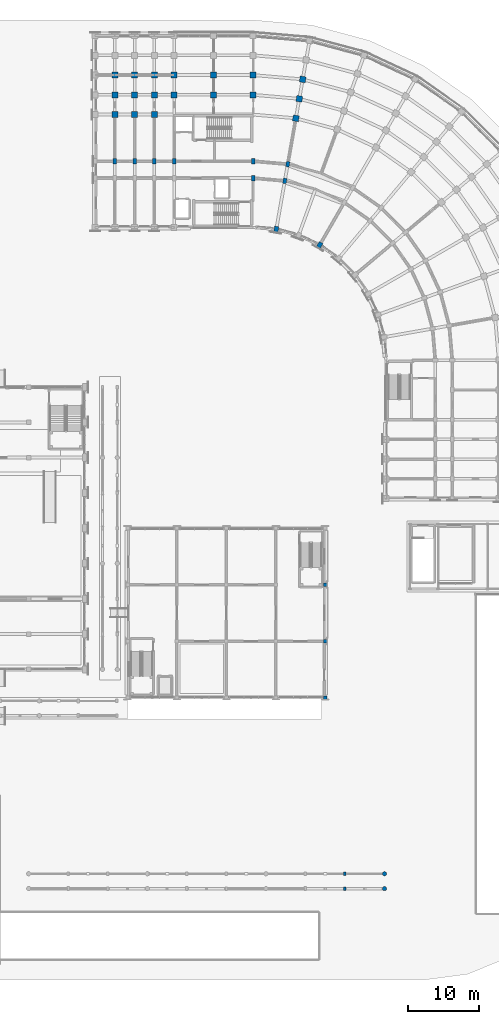
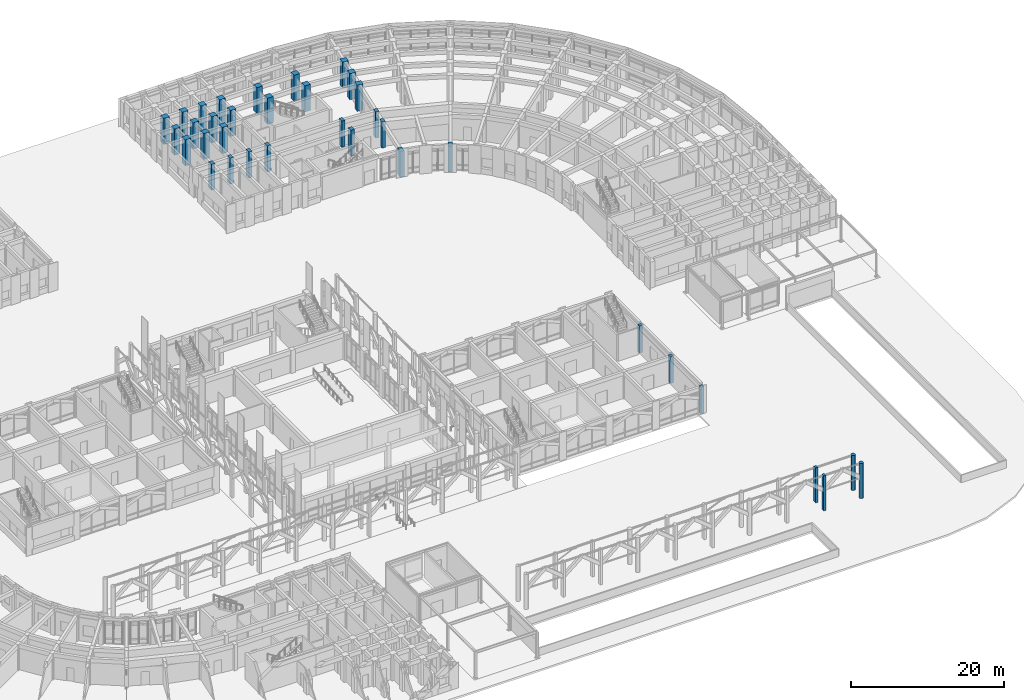
# One storey, part 8 of 135: 35 columns.
"""IFC4 building model written with IfcOpenShell, lengths in metres."""

from ifc_helpers import new_model, si_unit, direction, frame, origin, origin_2d, place, context, subcontext, project, spatial, rectangle, circle, extrude, material, material_profile, profile_set, type_object, element, save


model = new_model("IFC4")

# Units and contexts
model_context = context("Model", 3, precision=1e-05, world=origin(), true_north=direction((0.0, 1.0)))
body_context = subcontext(model_context, "Body", "Model", "MODEL_VIEW")
ifc_project = project(units=[si_unit("LENGTHUNIT", "METRE"), si_unit("AREAUNIT", "SQUARE_METRE"), si_unit("VOLUMEUNIT", "CUBIC_METRE"), si_unit("PLANEANGLEUNIT", "RADIAN"), si_unit("MASSUNIT", "GRAM", prefix="KILO")], contexts=[model_context])

# Site, building, storey
site_placement = place(None, origin())
site = spatial("IfcSite", under=ifc_project, at=site_placement, CompositionType="ELEMENT")
building_placement = place(site_placement, origin())
building = spatial("IfcBuilding", under=site, at=building_placement, Name="Kiranvali Square Residences", CompositionType="ELEMENT")
storey_placement = place(building_placement, origin())
storey = spatial("IfcBuildingStorey", under=building, at=storey_placement, Name="L00", CompositionType="ELEMENT", Elevation=0.0)

# Columns
ifc_material_1 = material(Name="Concrete M40 (40 MPa)", Category="concrete")
ifc_material_profile_1 = material_profile(ifc_material_1, rectangle(XDim=0.5, YDim=0.5, at=origin_2d()), Name="RC 500x500")
ifc_profile_set_1 = profile_set([ifc_material_profile_1], Name="Concrete M40 (40 MPa)")
column_type_1 = type_object("IfcColumnType", Name="COL-M40-500", PredefinedType="COLUMN", material=ifc_profile_set_1)
for number, where, z_axis, x_axis, name in (
    (1, (130.0, 40.0, 0.0), (0.0, 0.0, 1.0), (1.0, 0.0, 0.0), "Southeast Square Retail Pavilion L00 column 4-0"),
    (2, (130.0, 48.0, 0.0), (0.0, 0.0, 1.0), (1.0, 0.0, 0.0), "Southeast Square Retail Pavilion L00 column 4-1"),
    (3, (130.0, 56.0, 0.0), (0.0, 0.0, 1.0), (1.0, 0.0, 0.0), "Southeast Square Retail Pavilion L00 column 4-2"),
):
    element("IfcColumn", number, at=place(storey_placement, frame(where, z_axis=z_axis, x_axis=x_axis)), inside=storey, type_object=column_type_1, Name=name, PredefinedType="COLUMN", context=body_context, shape_type="SweptSolid", body=[
        extrude(rectangle(XDim=0.5, YDim=0.5, at=origin_2d()), origin(), (0.0, 0.0, 1.0), 4.280029296875),
    ])
ifc_material_2 = material(Name="Concrete M45 (45 MPa)", Category="concrete")
ifc_material_profile_2 = material_profile(ifc_material_2, rectangle(XDim=0.5, YDim=0.75, at=origin_2d()), Name="RC 750x500")
ifc_profile_set_2 = profile_set([ifc_material_profile_2], Name="Concrete M45 (45 MPa)")
column_type_2 = type_object("IfcColumnType", Name="COL-M45-750x500", PredefinedType="COLUMN", material=ifc_profile_set_2)
for number, where, z_axis, x_axis, name in (
    (4, (119.800048828125, 113.60009765625, 0.0), (0.0, 0.0, 1.0), (1.0, 0.0, 0.0), "Block B L00 radial column A00-R1"),
    (5, (119.800048828125, 116.0, 0.0), (0.0, 0.0, 1.0), (1.0, 0.0, 0.0), "Block B L00 radial column A00-R2"),
    (6, (124.280029296875, 113.2080078125, 0.0), (0.0, 0.0, 1.0), (-0.984807753012, 0.173648177667, 0.0), "Block B L00 radial column A01-R1"),
    (7, (124.69677734375, 115.571533203125, 0.0), (0.0, 0.0, 1.0), (-0.984807753012, 0.173648177667, 0.0), "Block B L00 radial column A01-R2"),
    (8, (108.60009765625, 116.0, 0.0), (0.0, 0.0, 1.0), (1.0, 0.0, 0.0), "Block B L00 Arm 1 column U1-R2"),
    (9, (105.800048828125, 116.0, 0.0), (0.0, 0.0, 1.0), (1.0, 0.0, 0.0), "Block B L00 Arm 1 column U2-R2"),
    (10, (103.0, 116.0, 0.0), (0.0, 0.0, 1.0), (1.0, 0.0, 0.0), "Block B L00 Arm 1 column U3-R2"),
    (11, (100.199951171875, 116.0, 0.0), (0.0, 0.0, 1.0), (1.0, 0.0, 0.0), "Block B L00 Arm 1 column U4-R2"),
):
    element("IfcColumn", number, at=place(storey_placement, frame(where, z_axis=z_axis, x_axis=x_axis)), inside=storey, type_object=column_type_2, Name=name, PredefinedType="COLUMN", context=body_context, shape_type="SweptSolid", body=[
        extrude(rectangle(XDim=0.5, YDim=0.75, at=origin_2d()), origin(), (0.0, 0.0, 1.0), 4.14990234375),
    ])
ifc_material_3 = material(Name="Concrete M50 (50 MPa)", Category="concrete")
ifc_material_profile_3 = material_profile(ifc_material_3, rectangle(XDim=0.85009765625, YDim=0.85009765625, at=origin_2d()), Name="RC 850x850")
ifc_profile_set_3 = profile_set([ifc_material_profile_3], Name="Concrete M50 (50 MPa)")
column_type_3 = type_object("IfcColumnType", Name="COL-M50-850", PredefinedType="COLUMN", material=ifc_profile_set_3)
for number, where, z_axis, x_axis, name in (
    (12, (119.800048828125, 125.39990234375, 0.0), (0.0, 0.0, 1.0), (1.0, 0.0, 0.0), "Block B L00 radial column A00-R4"),
    (13, (119.800048828125, 128.199951171875, 0.0), (0.0, 0.0, 1.0), (1.0, 0.0, 0.0), "Block B L00 radial column A00-R5"),
    (14, (125.843017578125, 122.0712890625, 0.0), (0.0, 0.0, 1.0), (-0.984807753012, 0.173648177667, 0.0), "Block B L00 radial column A01-R3"),
    (15, (126.3291015625, 124.828857421875, 0.0), (0.0, 0.0, 1.0), (-0.984807753012, 0.173648177667, 0.0), "Block B L00 radial column A01-R4"),
    (16, (126.8154296875, 127.586181640625, 0.0), (0.0, 0.0, 1.0), (-0.984807753012, 0.173648177667, 0.0), "Block B L00 radial column A01-R5"),
    (17, (114.199951171875, 125.39990234375, 0.0), (0.0, 0.0, 1.0), (1.0, 0.0, 0.0), "Block B L00 core-front column U0-R4"),
    (18, (114.199951171875, 128.199951171875, 0.0), (0.0, 0.0, 1.0), (1.0, 0.0, 0.0), "Block B L00 core-front column U0-R5"),
    (19, (108.60009765625, 125.39990234375, 0.0), (0.0, 0.0, 1.0), (1.0, 0.0, 0.0), "Block B L00 Arm 1 column U1-R4"),
    (20, (108.60009765625, 128.199951171875, 0.0), (0.0, 0.0, 1.0), (1.0, 0.0, 0.0), "Block B L00 Arm 1 column U1-R5"),
    (21, (105.800048828125, 122.60009765625, 0.0), (0.0, 0.0, 1.0), (1.0, 0.0, 0.0), "Block B L00 Arm 1 column U2-R3"),
    (22, (105.800048828125, 125.39990234375, 0.0), (0.0, 0.0, 1.0), (1.0, 0.0, 0.0), "Block B L00 Arm 1 column U2-R4"),
    (23, (105.800048828125, 128.199951171875, 0.0), (0.0, 0.0, 1.0), (1.0, 0.0, 0.0), "Block B L00 Arm 1 column U2-R5"),
    (24, (103.0, 122.60009765625, 0.0), (0.0, 0.0, 1.0), (1.0, 0.0, 0.0), "Block B L00 Arm 1 column U3-R3"),
    (25, (103.0, 125.39990234375, 0.0), (0.0, 0.0, 1.0), (1.0, 0.0, 0.0), "Block B L00 Arm 1 column U3-R4"),
    (26, (103.0, 128.199951171875, 0.0), (0.0, 0.0, 1.0), (1.0, 0.0, 0.0), "Block B L00 Arm 1 column U3-R5"),
    (27, (100.199951171875, 122.60009765625, 0.0), (0.0, 0.0, 1.0), (1.0, 0.0, 0.0), "Block B L00 Arm 1 column U4-R3"),
    (28, (100.199951171875, 125.39990234375, 0.0), (0.0, 0.0, 1.0), (1.0, 0.0, 0.0), "Block B L00 Arm 1 column U4-R4"),
    (29, (100.199951171875, 128.199951171875, 0.0), (0.0, 0.0, 1.0), (1.0, 0.0, 0.0), "Block B L00 Arm 1 column U4-R5"),
):
    element("IfcColumn", number, at=place(storey_placement, frame(where, z_axis=z_axis, x_axis=x_axis)), inside=storey, type_object=column_type_3, Name=name, PredefinedType="COLUMN", context=body_context, shape_type="SweptSolid", body=[
        extrude(rectangle(XDim=0.85009765625, YDim=0.85009765625, at=origin_2d()), origin(), (0.0, 0.0, 1.0), 4.14990234375),
    ])
ifc_material_profile_4 = material_profile(ifc_material_3, rectangle(XDim=0.60009765625, YDim=0.89990234375, at=origin_2d()), Name="RC 900x600")
ifc_profile_set_4 = profile_set([ifc_material_profile_4], Name="Concrete M50 (50 MPa)")
column_type_4 = type_object("IfcColumnType", Name="COL-M50-900x600", PredefinedType="COLUMN", material=ifc_profile_set_4)
for number, where, z_axis, x_axis, name in (
    (30, (123.064697265625, 106.314453125, 0.0), (0.0, 0.0, 1.0), (-0.984807753012, 0.173648177667, 0.0), "Block B L00 radial column A01-R0"),
    (31, (129.199951171875, 104.081298828125, 0.0), (0.0, 0.0, 1.0), (-0.866025403784, 0.5, 0.0), "Block B L00 radial column A03-R0"),
):
    element("IfcColumn", number, at=place(storey_placement, frame(where, z_axis=z_axis, x_axis=x_axis)), inside=storey, type_object=column_type_4, Name=name, PredefinedType="COLUMN", context=body_context, shape_type="SweptSolid", body=[
        extrude(rectangle(XDim=0.60009765625, YDim=0.89990234375, at=origin_2d()), origin(), (0.0, 0.0, 1.0), 4.14990234375),
    ])
ifc_material_profile_5 = material_profile(ifc_material_1, rectangle(XDim=0.35009765625, YDim=0.5, at=origin_2d()), Name="RC 500x350")
ifc_profile_set_5 = profile_set([ifc_material_profile_5], Name="Concrete M40 (40 MPa)")
column_type_5 = type_object("IfcColumnType", Name="PIL-M40-500x350", PredefinedType="PILASTER", material=ifc_profile_set_5)
for number, where, z_axis, x_axis, name in (
    (32, (132.800048828125, 12.949951171875, 0.0), (0.0, 0.0, 1.0), (1.0, 0.0, 0.0), "Ottoman pointed-arch colonnade pilaster ARC-SQ-S-9"),
    (33, (132.800048828125, 15.050048828125, 0.0), (0.0, 0.0, 1.0), (1.0, 0.0, 0.0), "Ottoman pointed-arch colonnade inner pilaster ARC-SQ-S-9B"),
):
    element("IfcColumn", number, at=place(storey_placement, frame(where, z_axis=z_axis, x_axis=x_axis)), inside=storey, type_object=column_type_5, Name=name, PredefinedType="PILASTER", context=body_context, shape_type="SweptSolid", body=[
        extrude(rectangle(XDim=0.35009765625, YDim=0.5, at=origin_2d()), origin(), (0.0, 0.0, 1.0), 5.56005859375),
    ])
ifc_material_profile_6 = material_profile(ifc_material_1, circle(Radius=0.300048828125, at=origin_2d()), Name="RC-CIRC 600")
ifc_profile_set_6 = profile_set([ifc_material_profile_6], Name="Concrete M40 (40 MPa)")
column_type_6 = type_object("IfcColumnType", Name="PIL-M40-C600", PredefinedType="PILASTER", material=ifc_profile_set_6)
for number, where, z_axis, x_axis, name in (
    (34, (138.39990234375, 12.949951171875, 0.0), (0.0, 0.0, 1.0), (1.0, 0.0, 0.0), "Ottoman pointed-arch colonnade pilaster ARC-SQ-S-10"),
    (35, (138.39990234375, 15.050048828125, 0.0), (0.0, 0.0, 1.0), (1.0, 0.0, 0.0), "Ottoman pointed-arch colonnade inner pilaster ARC-SQ-S-10B"),
):
    element("IfcColumn", number, at=place(storey_placement, frame(where, z_axis=z_axis, x_axis=x_axis)), inside=storey, type_object=column_type_6, Name=name, PredefinedType="PILASTER", context=body_context, shape_type="SweptSolid", body=[
        extrude(circle(Radius=0.300048828125, at=origin_2d()), origin(), (0.0, 0.0, 1.0), 5.56005859375),
    ])

save(model, "model.ifc")
